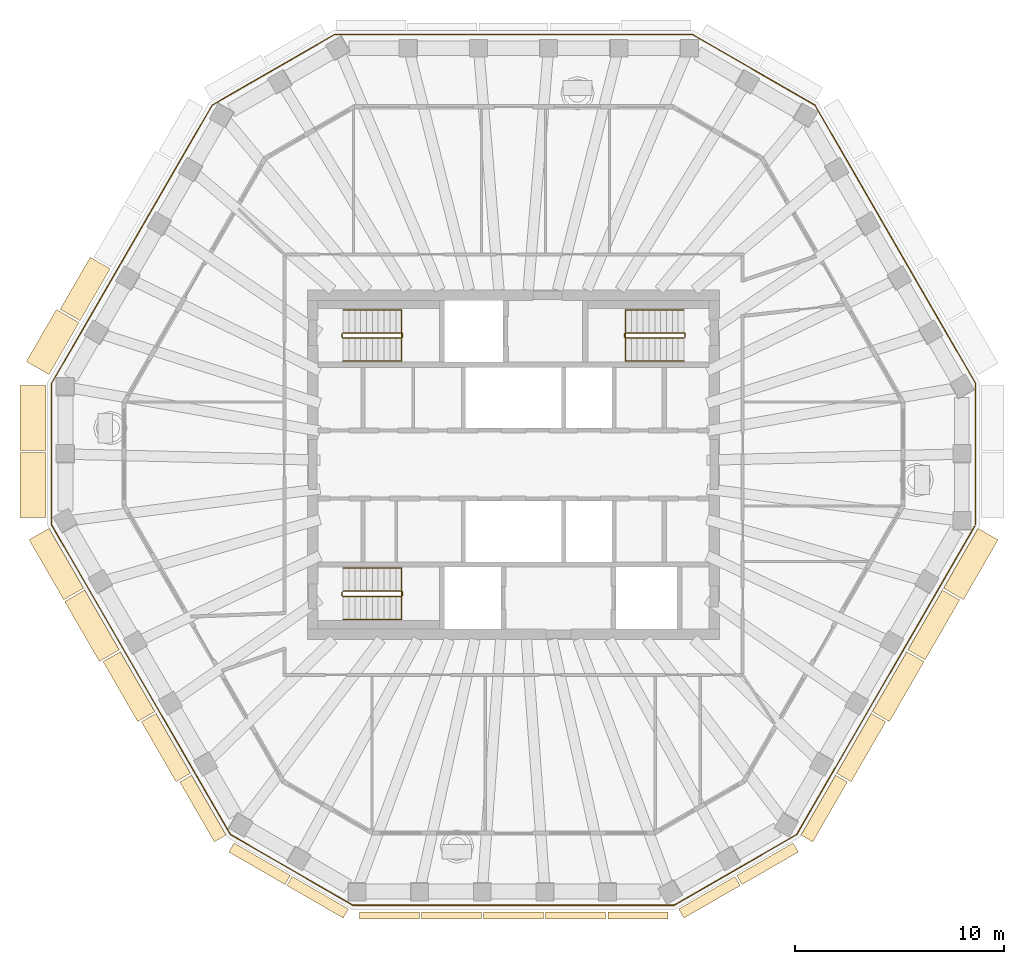
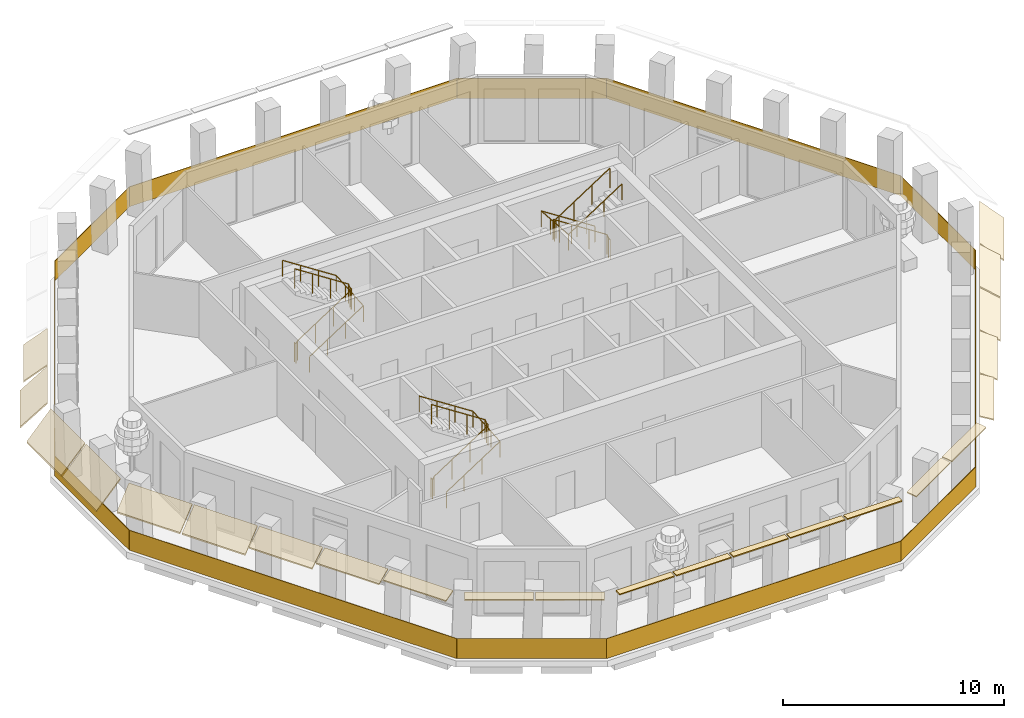
# One storey, part 8 of 11: 23 coverings, 7 railings.
"""IFC4 building model written with IfcOpenShell, lengths in metres."""

from ifc_helpers import new_model, si_unit, direction, frame, origin, origin_2d, place, context, subcontext, project, spatial, polyline, rectangle, circle, outline, extrude, material, layer, layer_set, type_object, element, save


model = new_model("IFC4")

# Units and contexts
model_context = context("Model", 3, precision=1e-05, world=origin(), true_north=direction((0.0, 1.0)))
body_context = subcontext(model_context, "Body", "Model", "MODEL_VIEW")
ifc_project = project(units=[si_unit("LENGTHUNIT", "METRE"), si_unit("AREAUNIT", "SQUARE_METRE"), si_unit("VOLUMEUNIT", "CUBIC_METRE"), si_unit("PLANEANGLEUNIT", "RADIAN"), si_unit("MASSUNIT", "GRAM", prefix="KILO")], contexts=[model_context])

# Site, building, storey
site_placement = place(None, origin())
site = spatial("IfcSite", under=ifc_project, at=site_placement, CompositionType="ELEMENT")
building_placement = place(site_placement, origin())
building = spatial("IfcBuilding", under=site, at=building_placement, Name="Frailejon Research Tower", CompositionType="ELEMENT")
storey_placement = place(building_placement, frame((0.0, 0.0, 324.60009765625)))
storey = spatial("IfcBuildingStorey", under=building, at=storey_placement, Name="L72", CompositionType="ELEMENT", Elevation=324.60009765625)

# Coverings
ifc_material_1 = material(Name="Precast concrete C50/60", Category="concrete")
ifc_layer_1 = layer(ifc_material_1, 0.06005859375)
ifc_layer_set_1 = layer_set([ifc_layer_1], Name="Brim blade depth 1100")
covering_type_1 = type_object("IfcCoveringType", Name="Brim blade depth 1100", PredefinedType="CLADDING", material=ifc_layer_set_1)
covering_1_placement = place(storey_placement, frame((-20.716552734375, 6.874755859375, 3.849853515625), z_axis=(0.499992569014, 0.866029694024, 0.0), x_axis=(-0.866029694024, 0.499992569014, 0.0)))
element("IfcCovering", 1, at=covering_1_placement, inside=storey, type_object=covering_type_1, Name="Brim blade L72", PredefinedType="CLADDING", context=body_context, shape_type="SweptSolid", body=[
    extrude(outline(polyline([(0.0, -0.078369140625), (1.10009765625, -1.001220703125), (1.10009765625, -0.923095703125), (0.0, 0.0), (0.0, -0.078369140625)])), origin(), (0.0, 0.0, 1.0), 2.86962890625),
])
for number, where, z_axis, x_axis, name in (
    (2, (-20.548828125, -5.908203125, 3.849853515625), (-0.499998690798, 0.866026159651, 0.0), (-0.866026159651, -0.499998690798, 0.0), "Brim blade L72"),
    (3, (-18.84619140625, -8.857177734375, 3.849853515625), (-0.499998690798, 0.866026159651, 0.0), (-0.866026159651, -0.499998690798, 0.0), "Brim blade L72"),
    (4, (22.201416015625, -3.0458984375, 3.849853515625), (-0.499998690798, -0.866026159651, 0.0), (0.866026159651, -0.499998690798, 0.0), "Brim blade L72"),
):
    element("IfcCovering", number, at=place(storey_placement, frame(where, z_axis=z_axis, x_axis=x_axis)), inside=storey, type_object=covering_type_1, Name=name, PredefinedType="CLADDING", context=body_context, shape_type="SweptSolid", body=[
        extrude(outline(polyline([(0.0, -0.078369140625), (1.10009765625, -1.001220703125), (1.10009765625, -0.923095703125), (0.0, 0.0), (0.0, -0.078369140625)])), origin(), (0.0, 0.0, 1.0), 3.30517578125),
    ])
ifc_material_2 = material(Name="Precast concrete C50/60", Category="concrete")
ifc_layer_2 = layer(ifc_material_2, 0.06005859375)
ifc_layer_set_2 = layer_set([ifc_layer_2], Name="Brim blade depth 1250")
covering_type_2 = type_object("IfcCoveringType", Name="Brim blade depth 1250", PredefinedType="CLADDING", material=ifc_layer_set_2)
covering_2_placement = place(storey_placement, frame((-22.201416015625, 4.302978515625, 3.849853515625), z_axis=(0.500003243186, 0.866023531322, 0.0), x_axis=(-0.866023531322, 0.500003243186, 0.0)))
element("IfcCovering", 5, at=covering_2_placement, inside=storey, type_object=covering_type_2, Name="Brim blade L72", PredefinedType="CLADDING", context=body_context, shape_type="SweptSolid", body=[
    extrude(outline(polyline([(0.0, -0.0888671875), (1.25, -1.452880859375), (1.25, -1.364013671875), (0.0, 0.0), (0.0, -0.0888671875)])), origin(), (0.0, 0.0, 1.0), 2.869873046875),
])
covering_3_placement = place(storey_placement, frame((-22.34033203125, 0.678466796875, 3.849853515625), z_axis=(0.0, 1.0, 0.0), x_axis=(-1.0, 0.0, 0.0)))
element("IfcCovering", 6, at=covering_3_placement, inside=storey, type_object=covering_type_2, Name="Brim blade L72", PredefinedType="CLADDING", context=body_context, shape_type="SweptSolid", body=[
    extrude(outline(polyline([(0.0, -0.0888671875), (1.25, -1.452880859375), (1.25, -1.364013671875), (0.0, 0.0), (0.0, -0.0888671875)])), origin(), (0.0, 0.0, 1.0), 3.106201171875),
])
covering_4_placement = place(storey_placement, frame((-22.34033203125, -2.527587890625, 3.849853515625), z_axis=(0.0, 1.0, 0.0), x_axis=(-1.0, 0.0, 0.0)))
element("IfcCovering", 7, at=covering_4_placement, inside=storey, type_object=covering_type_2, Name="Brim blade L72", PredefinedType="CLADDING", context=body_context, shape_type="SweptSolid", body=[
    extrude(outline(polyline([(0.0, -0.0888671875), (1.25, -1.452880859375), (1.25, -1.364013671875), (0.0, 0.0), (0.0, -0.0888671875)])), origin(), (0.0, 0.0, 1.0), 3.10595703125),
])
ifc_material_3 = material(Name="Precast concrete C50/60", Category="concrete")
ifc_layer_3 = layer(ifc_material_3, 0.06005859375)
ifc_layer_set_3 = layer_set([ifc_layer_3], Name="Brim blade depth 350")
covering_type_3 = type_object("IfcCoveringType", Name="Brim blade depth 350", PredefinedType="CLADDING", material=ifc_layer_set_3)
for number, where, z_axis, x_axis, name in (
    (8, (-4.504638671875, -21.37841796875, 3.849853515625), (-1.0, 0.0, 0.0), (0.0, -1.0, 0.0), "Brim blade L72"),
    (9, (-1.534912109375, -21.37841796875, 3.849853515625), (-1.0, 0.0, 0.0), (0.0, -1.0, 0.0), "Brim blade L72"),
):
    element("IfcCovering", number, at=place(storey_placement, frame(where, z_axis=z_axis, x_axis=x_axis)), inside=storey, type_object=covering_type_3, Name=name, PredefinedType="CLADDING", context=body_context, shape_type="SweptSolid", body=[
        extrude(outline(polyline([(0.0, -0.06005859375), (0.35009765625, -0.06005859375), (0.35009765625, 0.0), (0.0, 0.0), (0.0, -0.06005859375)])), origin(), (0.0, 0.0, 1.0), 2.86962890625),
    ])
covering_5_placement = place(storey_placement, frame((1.434814453125, -21.37841796875, 3.849853515625), z_axis=(-1.0, 0.0, 0.0), x_axis=(0.0, -1.0, 0.0)))
element("IfcCovering", 10, at=covering_5_placement, inside=storey, type_object=covering_type_3, Name="Brim blade L72", PredefinedType="CLADDING", context=body_context, shape_type="SweptSolid", body=[
    extrude(outline(polyline([(0.0, -0.06005859375), (0.35009765625, -0.06005859375), (0.35009765625, 0.0), (0.0, 0.0), (0.0, -0.06005859375)])), origin(), (0.0, 0.0, 1.0), 2.869873046875),
])
for number, where, z_axis, x_axis, name in (
    (11, (4.404541015625, -21.37841796875, 3.849853515625), (-1.0, 0.0, 0.0), (0.0, -1.0, 0.0), "Brim blade L72"),
    (12, (7.374267578125, -21.37841796875, 3.849853515625), (-1.0, 0.0, 0.0), (0.0, -1.0, 0.0), "Brim blade L72"),
):
    element("IfcCovering", number, at=place(storey_placement, frame(where, z_axis=z_axis, x_axis=x_axis)), inside=storey, type_object=covering_type_3, Name=name, PredefinedType="CLADDING", context=body_context, shape_type="SweptSolid", body=[
        extrude(outline(polyline([(0.0, -0.06005859375), (0.35009765625, -0.06005859375), (0.35009765625, 0.0), (0.0, 0.0), (0.0, -0.06005859375)])), origin(), (0.0, 0.0, 1.0), 2.86962890625),
    ])
ifc_material_4 = material(Name="Precast concrete C50/60", Category="concrete")
ifc_layer_4 = layer(ifc_material_4, 0.06005859375)
ifc_layer_set_4 = layer_set([ifc_layer_4], Name="Brim blade depth 500")
covering_type_4 = type_object("IfcCoveringType", Name="Brim blade depth 500", PredefinedType="CLADDING", material=ifc_layer_set_4)
covering_6_placement = place(storey_placement, frame((-10.669189453125, -19.63671875, 3.849853515625), z_axis=(-0.86602716254, 0.499996953734, 0.0), x_axis=(-0.499996953734, -0.86602716254, 0.0)))
element("IfcCovering", 13, at=covering_6_placement, inside=storey, type_object=covering_type_4, Name="Brim blade L72", PredefinedType="CLADDING", context=body_context, shape_type="SweptSolid", body=[
    extrude(outline(polyline([(0.0, -0.060546875), (0.5, -0.130859375), (0.5, -0.0703125), (0.0, 0.0), (0.0, -0.060546875)])), origin(), (0.0, 0.0, 1.0), 3.10595703125),
])
for number, where, z_axis, x_axis, name in (
    (14, (-7.892578125, -21.239501953125, 3.849853515625), (-0.866034959906, 0.499983447946, 0.0), (-0.499983447946, -0.866034959906, 0.0), "Brim blade L72"),
    (15, (10.58251953125, -19.6865234375, 3.849853515625), (-0.866034959906, -0.499983447946, 0.0), (0.499983447946, -0.866034959906, 0.0), "Brim blade L72"),
):
    element("IfcCovering", number, at=place(storey_placement, frame(where, z_axis=z_axis, x_axis=x_axis)), inside=storey, type_object=covering_type_4, Name=name, PredefinedType="CLADDING", context=body_context, shape_type="SweptSolid", body=[
        extrude(outline(polyline([(0.0, -0.060546875), (0.5, -0.130859375), (0.5, -0.0703125), (0.0, 0.0), (0.0, -0.060546875)])), origin(), (0.0, 0.0, 1.0), 3.106201171875),
    ])
covering_7_placement = place(storey_placement, frame((13.359130859375, -18.08349609375, 3.849853515625), z_axis=(-0.86602716254, -0.499996953734, 0.0), x_axis=(0.499996953734, -0.86602716254, 0.0)))
element("IfcCovering", 16, at=covering_7_placement, inside=storey, type_object=covering_type_4, Name="Brim blade L72", PredefinedType="CLADDING", context=body_context, shape_type="SweptSolid", body=[
    extrude(outline(polyline([(0.0, -0.060546875), (0.5, -0.130859375), (0.5, -0.0703125), (0.0, 0.0), (0.0, -0.060546875)])), origin(), (0.0, 0.0, 1.0), 3.10595703125),
])
ifc_material_5 = material(Name="Precast concrete C50/60", Category="concrete")
ifc_layer_5 = layer(ifc_material_5, 0.06005859375)
ifc_layer_set_5 = layer_set([ifc_layer_5], Name="Brim blade depth 650")
covering_type_5 = type_object("IfcCoveringType", Name="Brim blade depth 650", PredefinedType="CLADDING", material=ifc_layer_set_5)
for number, where, z_axis, x_axis, name in (
    (17, (-13.738525390625, -17.7041015625, 3.849853515625), (-0.499998690798, 0.866026159651, 0.0), (-0.866026159651, -0.499998690798, 0.0), "Brim blade L72"),
    (18, (15.39111328125, -14.841796875, 3.849853515625), (-0.499998690798, -0.866026159651, 0.0), (0.866026159651, -0.499998690798, 0.0), "Brim blade L72"),
):
    element("IfcCovering", number, at=place(storey_placement, frame(where, z_axis=z_axis, x_axis=x_axis)), inside=storey, type_object=covering_type_5, Name=name, PredefinedType="CLADDING", context=body_context, shape_type="SweptSolid", body=[
        extrude(outline(polyline([(0.0, -0.0625), (0.64990234375, -0.248779296875), (0.64990234375, -0.186279296875), (0.0, 0.0), (0.0, -0.0625)])), origin(), (0.0, 0.0, 1.0), 3.30517578125),
    ])
ifc_material_6 = material(Name="Precast concrete C50/60", Category="concrete")
ifc_layer_6 = layer(ifc_material_6, 0.06005859375)
ifc_layer_set_6 = layer_set([ifc_layer_6], Name="Brim blade depth 800")
covering_type_6 = type_object("IfcCoveringType", Name="Brim blade depth 800", PredefinedType="CLADDING", material=ifc_layer_set_6)
for number, where, z_axis, x_axis, name in (
    (19, (-15.441162109375, -14.755126953125, 3.849853515625), (-0.499998690798, 0.866026159651, 0.0), (-0.866026159651, -0.499998690798, 0.0), "Brim blade L72"),
    (20, (17.09375, -11.892822265625, 3.849853515625), (-0.499998690798, -0.866026159651, 0.0), (0.866026159651, -0.499998690798, 0.0), "Brim blade L72"),
):
    element("IfcCovering", number, at=place(storey_placement, frame(where, z_axis=z_axis, x_axis=x_axis)), inside=storey, type_object=covering_type_6, Name=name, PredefinedType="CLADDING", context=body_context, shape_type="SweptSolid", body=[
        extrude(outline(polyline([(0.0, -0.065673828125), (0.800048828125, -0.421875), (0.800048828125, -0.356201171875), (0.0, 0.0), (0.0, -0.065673828125)])), origin(), (0.0, 0.0, 1.0), 3.30517578125),
    ])
ifc_material_7 = material(Name="Precast concrete C50/60", Category="concrete")
ifc_layer_7 = layer(ifc_material_7, 0.06005859375)
ifc_layer_set_7 = layer_set([ifc_layer_7], Name="Brim blade depth 950")
covering_type_7 = type_object("IfcCoveringType", Name="Brim blade depth 950", PredefinedType="CLADDING", material=ifc_layer_set_7)
for number, where, z_axis, x_axis, name in (
    (21, (-17.143798828125, -11.80615234375, 3.849853515625), (-0.499998690798, 0.866026159651, 0.0), (-0.866026159651, -0.499998690798, 0.0), "Brim blade L72"),
    (22, (18.79638671875, -8.94384765625, 3.849853515625), (-0.499998690798, -0.866026159651, 0.0), (0.866026159651, -0.499998690798, 0.0), "Brim blade L72"),
    (23, (20.498779296875, -5.994873046875, 3.849853515625), (-0.499998690798, -0.866026159651, 0.0), (0.866026159651, -0.499998690798, 0.0), "Brim blade L72"),
):
    element("IfcCovering", number, at=place(storey_placement, frame(where, z_axis=z_axis, x_axis=x_axis)), inside=storey, type_object=covering_type_7, Name=name, PredefinedType="CLADDING", context=body_context, shape_type="SweptSolid", body=[
        extrude(outline(polyline([(0.0, -0.07080078125), (0.949951171875, -0.664306640625), (0.949951171875, -0.593505859375), (0.0, 0.0), (0.0, -0.07080078125)])), origin(), (0.0, 0.0, 1.0), 3.30517578125),
    ])

# Railings
ifc_material_8 = material(Name="Laminated glass balustrade", Category="glass")
railing_type_1 = type_object("IfcRailingType", Name="Glass guard 1100", PredefinedType="GUARDRAIL", material=ifc_material_8)
railing_1_placement = place(storey_placement, frame((22.078857421875, -2.88037109375, 0.0)))
element("IfcRailing", 24, at=railing_1_placement, inside=storey, type_object=railing_type_1, Name="Loggia guard L72", PredefinedType="GUARDRAIL", context=body_context, shape_type="SweptSolid", body=[
    extrude(rectangle(XDim=6.766357421875, YDim=0.030029296875, at=origin_2d()), frame((0.0, 3.38330078125, 0.0), z_axis=(0.0, 0.0, 1.0), x_axis=(0.0, 1.0, 0.0)), (0.0, 0.0, 1.0), 1.10009765625),
    extrude(rectangle(XDim=15.34814453125, YDim=0.030029296875, at=origin_2d()), frame((-3.8369140625, 13.412353515625, 0.0), z_axis=(0.0, 0.0, 1.0), x_axis=(-0.499996921375, 0.866027181222, 0.0)), (0.0, 0.0, 1.0), 1.10009765625),
    extrude(rectangle(XDim=6.766357421875, YDim=0.030029296875, at=origin_2d()), frame((-10.60400390625, 21.75, 0.0), z_axis=(0.0, 0.0, 1.0), x_axis=(-0.866034171151, 0.499984814167, 0.0)), (0.0, 0.0, 1.0), 1.10009765625),
    extrude(rectangle(XDim=17.08984375, YDim=0.030029296875, at=origin_2d()), frame((-22.078857421875, 23.44140625, 0.0), z_axis=(0.0, 0.0, 1.0), x_axis=(-1.0, 0.0, 0.0)), (0.0, 0.0, 1.0), 1.10009765625),
    extrude(rectangle(XDim=6.766357421875, YDim=0.030029296875, at=origin_2d()), frame((-33.5537109375, 21.75, 0.0), z_axis=(0.0, 0.0, 1.0), x_axis=(-0.866034171151, -0.499984814167, 0.0)), (0.0, 0.0, 1.0), 1.10009765625),
    extrude(rectangle(XDim=15.34814453125, YDim=0.030029296875, at=origin_2d()), frame((-40.32080078125, 13.412353515625, 0.0), z_axis=(0.0, 0.0, 1.0), x_axis=(-0.499996921375, -0.866027181222, 0.0)), (0.0, 0.0, 1.0), 1.10009765625),
    extrude(rectangle(XDim=6.766357421875, YDim=0.030029296875, at=origin_2d()), frame((-44.15771484375, 3.38330078125, 0.0), z_axis=(0.0, 0.0, 1.0), x_axis=(0.0, -1.0, 0.0)), (0.0, 0.0, 1.0), 1.10009765625),
    extrude(rectangle(XDim=17.08984375, YDim=0.030029296875, at=origin_2d()), frame((-39.88525390625, -7.400146484375, 0.0), z_axis=(0.0, 0.0, 1.0), x_axis=(0.499998628373, -0.866026195692, 0.0)), (0.0, 0.0, 1.0), 1.10009765625),
    extrude(rectangle(XDim=6.766357421875, YDim=0.030029296875, at=origin_2d()), frame((-32.682861328125, -16.491943359375, 0.0), z_axis=(0.0, 0.0, 1.0), x_axis=(0.866018547471, -0.500011875296, 0.0)), (0.0, 0.0, 1.0), 1.10009765625),
    extrude(rectangle(XDim=15.34814453125, YDim=0.030029296875, at=origin_2d()), frame((-22.078857421875, -18.18359375, 0.0), z_axis=(0.0, 0.0, 1.0), x_axis=(1.0, 0.0, 0.0)), (0.0, 0.0, 1.0), 1.10009765625),
    extrude(rectangle(XDim=6.766357421875, YDim=0.030029296875, at=origin_2d()), frame((-11.474853515625, -16.491943359375, 0.0), z_axis=(0.0, 0.0, 1.0), x_axis=(0.866018547471, 0.500011875296, 0.0)), (0.0, 0.0, 1.0), 1.10009765625),
    extrude(rectangle(XDim=17.02001953125, YDim=0.030029296875, at=origin_2d()), frame((-4.2900390625, -7.430419921875, 0.0), z_axis=(0.0, 0.0, 1.0), x_axis=(0.500000590068, 0.866025063108, 0.0)), (0.0, 0.0, 1.0), 1.10009765625),
])
ifc_material_9 = material(Name="Stainless steel", Category="steel")
railing_type_2 = type_object("IfcRailingType", Name="Stair guard 1100", PredefinedType="GUARDRAIL", material=ifc_material_9)
railing_2_placement = place(storey_placement, frame((-8.199951171875, 6.25, 0.0)))
element("IfcRailing", 25, at=railing_2_placement, inside=storey, type_object=railing_type_2, Name="L72 ST1 stair guard 1", PredefinedType="GUARDRAIL", context=body_context, shape_type="SweptSolid", body=[
    extrude(circle(Radius=0.02392578125, at=origin_2d()), frame((0.0, 0.0, 1.076171875), z_axis=(0.0, -1.0, 0.0), x_axis=(1.0, 0.0, 0.0)), (0.0, 0.0, 1.0), 0.14990234375),
    extrude(circle(Radius=0.02392578125, at=origin_2d()), frame((0.0, -0.14990234375, 1.076171875), z_axis=(0.256734642926, -0.256734642926, 0.931758899203), x_axis=(0.707106781187, 0.707106781187, 0.0)), (0.0, 0.0, 1.0), 0.19482421875),
    extrude(circle(Radius=0.02392578125, at=origin_2d()), frame((0.050048828125, -0.199951171875, 1.2578125), z_axis=(0.838650734948, 0.0, 0.544669573936), x_axis=(0.0, 1.0, 0.0)), (0.0, 0.0, 1.0), 3.33837890625),
    extrude(circle(Radius=0.02392578125, at=origin_2d()), frame((2.849853515625, -0.199951171875, 3.076171875), z_axis=(0.707106781187, 0.707106781187, 0.0), x_axis=(-0.707106781187, 0.707106781187, 0.0)), (0.0, 0.0, 1.0), 0.07080078125),
    extrude(circle(Radius=0.02392578125, at=origin_2d()), frame((2.89990234375, -0.14990234375, 3.076171875), z_axis=(0.0, 1.0, 0.0), x_axis=(-1.0, 0.0, 0.0)), (0.0, 0.0, 1.0), 0.14990234375),
    extrude(circle(Radius=0.02392578125, at=origin_2d()), frame((2.89990234375, 0.0, 3.076171875), z_axis=(-0.256734642926, 0.256734642926, 0.931758899203), x_axis=(-0.707106781187, -0.707106781187, 0.0)), (0.0, 0.0, 1.0), 0.19482421875),
    extrude(circle(Radius=0.02392578125, at=origin_2d()), frame((2.849853515625, 0.050048828125, 3.2578125), z_axis=(-0.838650734948, 0.0, 0.544669573936), x_axis=(0.0, -1.0, 0.0)), (0.0, 0.0, 1.0), 3.33837890625),
    extrude(circle(Radius=0.02099609375, at=origin_2d()), origin(), (0.0, 0.0, 1.0), 1.052001953125),
    extrude(circle(Radius=0.02099609375, at=origin_2d()), frame((0.0, -0.14990234375, 0.0)), (0.0, 0.0, 1.0), 1.052001953125),
    extrude(circle(Radius=0.02099609375, at=origin_2d()), frame((0.050048828125, -0.199951171875, 0.181640625)), (0.0, 0.0, 1.0), 1.052001953125),
    extrude(circle(Radius=0.02099609375, at=origin_2d()), frame((0.9833984375, -0.199951171875, 0.787841796875)), (0.0, 0.0, 1.0), 1.052001953125),
    extrude(circle(Radius=0.02099609375, at=origin_2d()), frame((1.91650390625, -0.199951171875, 1.393798828125)), (0.0, 0.0, 1.0), 1.052001953125),
    extrude(circle(Radius=0.02099609375, at=origin_2d()), frame((2.849853515625, -0.199951171875, 2.0)), (0.0, 0.0, 1.0), 1.052001953125),
    extrude(circle(Radius=0.02099609375, at=origin_2d()), frame((2.89990234375, -0.14990234375, 2.0)), (0.0, 0.0, 1.0), 1.052001953125),
    extrude(circle(Radius=0.02099609375, at=origin_2d()), frame((2.89990234375, 0.0, 2.0)), (0.0, 0.0, 1.0), 1.052001953125),
    extrude(circle(Radius=0.02099609375, at=origin_2d()), frame((2.849853515625, 0.050048828125, 2.181640625)), (0.0, 0.0, 1.0), 1.052001953125),
    extrude(circle(Radius=0.02099609375, at=origin_2d()), frame((1.91650390625, 0.050048828125, 2.787841796875)), (0.0, 0.0, 1.0), 1.052001953125),
    extrude(circle(Radius=0.02099609375, at=origin_2d()), frame((0.9833984375, 0.050048828125, 3.393798828125)), (0.0, 0.0, 1.0), 1.052001953125),
    extrude(circle(Radius=0.02099609375, at=origin_2d()), frame((0.050048828125, 0.050048828125, 4.0)), (0.0, 0.0, 1.0), 1.052001953125),
])
railing_3_placement = place(storey_placement, frame((-8.199951171875, -6.10009765625, 0.0)))
element("IfcRailing", 26, at=railing_3_placement, inside=storey, type_object=railing_type_2, Name="L72 ST2 stair guard 1", PredefinedType="GUARDRAIL", context=body_context, shape_type="SweptSolid", body=[
    extrude(circle(Radius=0.02392578125, at=origin_2d()), frame((0.0, 0.0, 1.076171875), z_axis=(0.0, -1.0, 0.0), x_axis=(1.0, 0.0, 0.0)), (0.0, 0.0, 1.0), 0.14990234375),
    extrude(circle(Radius=0.02392578125, at=origin_2d()), frame((0.0, -0.14990234375, 1.076171875), z_axis=(0.256734642926, -0.256734642926, 0.931758899203), x_axis=(0.707106781187, 0.707106781187, 0.0)), (0.0, 0.0, 1.0), 0.19482421875),
    extrude(circle(Radius=0.02392578125, at=origin_2d()), frame((0.050048828125, -0.199951171875, 1.2578125), z_axis=(0.838650734948, 0.0, 0.544669573936), x_axis=(0.0, 1.0, 0.0)), (0.0, 0.0, 1.0), 3.33837890625),
    extrude(circle(Radius=0.02392578125, at=origin_2d()), frame((2.849853515625, -0.199951171875, 3.076171875), z_axis=(0.707106781187, 0.707106781187, 0.0), x_axis=(-0.707106781187, 0.707106781187, 0.0)), (0.0, 0.0, 1.0), 0.07080078125),
    extrude(circle(Radius=0.02392578125, at=origin_2d()), frame((2.89990234375, -0.14990234375, 3.076171875), z_axis=(0.0, 1.0, 0.0), x_axis=(-1.0, 0.0, 0.0)), (0.0, 0.0, 1.0), 0.14990234375),
    extrude(circle(Radius=0.02392578125, at=origin_2d()), frame((2.89990234375, 0.0, 3.076171875), z_axis=(-0.256734642926, 0.256734642926, 0.931758899203), x_axis=(-0.707106781187, -0.707106781187, 0.0)), (0.0, 0.0, 1.0), 0.19482421875),
    extrude(circle(Radius=0.02392578125, at=origin_2d()), frame((2.849853515625, 0.050048828125, 3.2578125), z_axis=(-0.838650734948, 0.0, 0.544669573936), x_axis=(0.0, -1.0, 0.0)), (0.0, 0.0, 1.0), 3.33837890625),
    extrude(circle(Radius=0.02099609375, at=origin_2d()), origin(), (0.0, 0.0, 1.0), 1.052001953125),
    extrude(circle(Radius=0.02099609375, at=origin_2d()), frame((0.0, -0.14990234375, 0.0)), (0.0, 0.0, 1.0), 1.052001953125),
    extrude(circle(Radius=0.02099609375, at=origin_2d()), frame((0.050048828125, -0.199951171875, 0.181640625)), (0.0, 0.0, 1.0), 1.052001953125),
    extrude(circle(Radius=0.02099609375, at=origin_2d()), frame((0.9833984375, -0.199951171875, 0.787841796875)), (0.0, 0.0, 1.0), 1.052001953125),
    extrude(circle(Radius=0.02099609375, at=origin_2d()), frame((1.91650390625, -0.199951171875, 1.393798828125)), (0.0, 0.0, 1.0), 1.052001953125),
    extrude(circle(Radius=0.02099609375, at=origin_2d()), frame((2.849853515625, -0.199951171875, 2.0)), (0.0, 0.0, 1.0), 1.052001953125),
    extrude(circle(Radius=0.02099609375, at=origin_2d()), frame((2.89990234375, -0.14990234375, 2.0)), (0.0, 0.0, 1.0), 1.052001953125),
    extrude(circle(Radius=0.02099609375, at=origin_2d()), frame((2.89990234375, 0.0, 2.0)), (0.0, 0.0, 1.0), 1.052001953125),
    extrude(circle(Radius=0.02099609375, at=origin_2d()), frame((2.849853515625, 0.050048828125, 2.181640625)), (0.0, 0.0, 1.0), 1.052001953125),
    extrude(circle(Radius=0.02099609375, at=origin_2d()), frame((1.91650390625, 0.050048828125, 2.787841796875)), (0.0, 0.0, 1.0), 1.052001953125),
    extrude(circle(Radius=0.02099609375, at=origin_2d()), frame((0.9833984375, 0.050048828125, 3.393798828125)), (0.0, 0.0, 1.0), 1.052001953125),
    extrude(circle(Radius=0.02099609375, at=origin_2d()), frame((0.050048828125, 0.050048828125, 4.0)), (0.0, 0.0, 1.0), 1.052001953125),
])
railing_4_placement = place(storey_placement, frame((8.199951171875, 6.10009765625, 0.0)))
element("IfcRailing", 27, at=railing_4_placement, inside=storey, type_object=railing_type_2, Name="L72 ST3 stair guard 1", PredefinedType="GUARDRAIL", context=body_context, shape_type="SweptSolid", body=[
    extrude(circle(Radius=0.02392578125, at=origin_2d()), frame((0.0, 0.0, 1.076171875), z_axis=(0.0, 1.0, 0.0), x_axis=(-1.0, 0.0, 0.0)), (0.0, 0.0, 1.0), 0.14990234375),
    extrude(circle(Radius=0.02392578125, at=origin_2d()), frame((0.0, 0.14990234375, 1.076171875), z_axis=(-0.256734642926, 0.256734642926, 0.931758899203), x_axis=(-0.707106781187, -0.707106781187, 0.0)), (0.0, 0.0, 1.0), 0.19482421875),
    extrude(circle(Radius=0.02392578125, at=origin_2d()), frame((-0.050048828125, 0.199951171875, 1.2578125), z_axis=(-0.838650734948, 0.0, 0.544669573936), x_axis=(0.0, -1.0, 0.0)), (0.0, 0.0, 1.0), 3.33837890625),
    extrude(circle(Radius=0.02392578125, at=origin_2d()), frame((-2.849853515625, 0.199951171875, 3.076171875), z_axis=(-0.707106781187, -0.707106781187, 0.0), x_axis=(0.707106781187, -0.707106781187, 0.0)), (0.0, 0.0, 1.0), 0.07080078125),
    extrude(circle(Radius=0.02392578125, at=origin_2d()), frame((-2.89990234375, 0.14990234375, 3.076171875), z_axis=(0.0, -1.0, 0.0), x_axis=(1.0, 0.0, 0.0)), (0.0, 0.0, 1.0), 0.14990234375),
    extrude(circle(Radius=0.02392578125, at=origin_2d()), frame((-2.89990234375, 0.0, 3.076171875), z_axis=(0.256734642926, -0.256734642926, 0.931758899203), x_axis=(0.707106781187, 0.707106781187, 0.0)), (0.0, 0.0, 1.0), 0.19482421875),
    extrude(circle(Radius=0.02392578125, at=origin_2d()), frame((-2.849853515625, -0.050048828125, 3.2578125), z_axis=(0.838650734948, 0.0, 0.544669573936), x_axis=(0.0, 1.0, 0.0)), (0.0, 0.0, 1.0), 3.33837890625),
    extrude(circle(Radius=0.02099609375, at=origin_2d()), origin(), (0.0, 0.0, 1.0), 1.052001953125),
    extrude(circle(Radius=0.02099609375, at=origin_2d()), frame((0.0, 0.14990234375, 0.0)), (0.0, 0.0, 1.0), 1.052001953125),
    extrude(circle(Radius=0.02099609375, at=origin_2d()), frame((-0.050048828125, 0.199951171875, 0.181640625)), (0.0, 0.0, 1.0), 1.052001953125),
    extrude(circle(Radius=0.02099609375, at=origin_2d()), frame((-0.9833984375, 0.199951171875, 0.787841796875)), (0.0, 0.0, 1.0), 1.052001953125),
    extrude(circle(Radius=0.02099609375, at=origin_2d()), frame((-1.91650390625, 0.199951171875, 1.393798828125)), (0.0, 0.0, 1.0), 1.052001953125),
    extrude(circle(Radius=0.02099609375, at=origin_2d()), frame((-2.849853515625, 0.199951171875, 2.0)), (0.0, 0.0, 1.0), 1.052001953125),
    extrude(circle(Radius=0.02099609375, at=origin_2d()), frame((-2.89990234375, 0.14990234375, 2.0)), (0.0, 0.0, 1.0), 1.052001953125),
    extrude(circle(Radius=0.02099609375, at=origin_2d()), frame((-2.89990234375, 0.0, 2.0)), (0.0, 0.0, 1.0), 1.052001953125),
    extrude(circle(Radius=0.02099609375, at=origin_2d()), frame((-2.849853515625, -0.050048828125, 2.181640625)), (0.0, 0.0, 1.0), 1.052001953125),
    extrude(circle(Radius=0.02099609375, at=origin_2d()), frame((-1.91650390625, -0.050048828125, 2.787841796875)), (0.0, 0.0, 1.0), 1.052001953125),
    extrude(circle(Radius=0.02099609375, at=origin_2d()), frame((-0.9833984375, -0.050048828125, 3.393798828125)), (0.0, 0.0, 1.0), 1.052001953125),
    extrude(circle(Radius=0.02099609375, at=origin_2d()), frame((-0.050048828125, -0.050048828125, 4.0)), (0.0, 0.0, 1.0), 1.052001953125),
])
ifc_material_10 = material(Name="Stainless steel", Category="steel")
railing_type_3 = type_object("IfcRailingType", Name="Stair handrail 900", PredefinedType="HANDRAIL", material=ifc_material_10)
railing_5_placement = place(storey_placement, frame((-8.14990234375, 4.949951171875, 0.181640625)))
element("IfcRailing", 28, at=railing_5_placement, inside=storey, type_object=railing_type_3, Name="L72 ST1 stair handrail 1", PredefinedType="HANDRAIL", context=body_context, shape_type="SweptSolid", body=[
    extrude(circle(Radius=0.02392578125, at=origin_2d()), frame((0.0, 0.0, 0.8759765625), z_axis=(0.838650734948, 0.0, 0.544669573936), x_axis=(0.0, 1.0, 0.0)), (0.0, 0.0, 1.0), 3.33837890625),
    extrude(circle(Radius=0.02392578125, at=origin_2d()), frame((2.7998046875, 0.0, 2.6943359375), z_axis=(0.0, 0.997262871482, 0.073937576122), x_axis=(-1.0, 0.0, 0.0)), (0.0, 0.0, 1.0), 2.456787109375),
    extrude(circle(Radius=0.02392578125, at=origin_2d()), frame((2.7998046875, 2.449951171875, 2.8759765625), z_axis=(-0.838650734948, 0.0, 0.544669573936), x_axis=(0.0, -1.0, 0.0)), (0.0, 0.0, 1.0), 3.33837890625),
    extrude(circle(Radius=0.02099609375, at=origin_2d()), origin(), (0.0, 0.0, 1.0), 0.851806640625),
    extrude(circle(Radius=0.02099609375, at=origin_2d()), frame((0.933349609375, 0.0, 0.606201171875)), (0.0, 0.0, 1.0), 0.851806640625),
    extrude(circle(Radius=0.02099609375, at=origin_2d()), frame((1.866455078125, 0.0, 1.212158203125)), (0.0, 0.0, 1.0), 0.851806640625),
    extrude(circle(Radius=0.02099609375, at=origin_2d()), frame((2.7998046875, 0.0, 1.818359375)), (0.0, 0.0, 1.0), 0.851806640625),
    extrude(circle(Radius=0.02099609375, at=origin_2d()), frame((2.7998046875, 0.816650390625, 1.87890625)), (0.0, 0.0, 1.0), 0.851806640625),
    extrude(circle(Radius=0.02099609375, at=origin_2d()), frame((2.7998046875, 1.63330078125, 1.939453125)), (0.0, 0.0, 1.0), 0.851806640625),
    extrude(circle(Radius=0.02099609375, at=origin_2d()), frame((2.7998046875, 2.449951171875, 2.0)), (0.0, 0.0, 1.0), 0.851806640625),
    extrude(circle(Radius=0.02099609375, at=origin_2d()), frame((1.866455078125, 2.449951171875, 2.606201171875)), (0.0, 0.0, 1.0), 0.851806640625),
    extrude(circle(Radius=0.02099609375, at=origin_2d()), frame((0.933349609375, 2.449951171875, 3.212158203125)), (0.0, 0.0, 1.0), 0.851806640625),
    extrude(circle(Radius=0.02099609375, at=origin_2d()), frame((0.0, 2.449951171875, 3.818359375)), (0.0, 0.0, 1.0), 0.851806640625),
])
railing_6_placement = place(storey_placement, frame((-8.14990234375, -7.39990234375, 0.181640625)))
element("IfcRailing", 29, at=railing_6_placement, inside=storey, type_object=railing_type_3, Name="L72 ST2 stair handrail 1", PredefinedType="HANDRAIL", context=body_context, shape_type="SweptSolid", body=[
    extrude(circle(Radius=0.02392578125, at=origin_2d()), frame((0.0, 0.0, 0.8759765625), z_axis=(0.838650734948, 0.0, 0.544669573936), x_axis=(0.0, 1.0, 0.0)), (0.0, 0.0, 1.0), 3.33837890625),
    extrude(circle(Radius=0.02392578125, at=origin_2d()), frame((2.7998046875, 0.0, 2.6943359375), z_axis=(0.0, 0.997262871482, 0.073937576122), x_axis=(-1.0, 0.0, 0.0)), (0.0, 0.0, 1.0), 2.456787109375),
    extrude(circle(Radius=0.02392578125, at=origin_2d()), frame((2.7998046875, 2.449951171875, 2.8759765625), z_axis=(-0.838650734948, 0.0, 0.544669573936), x_axis=(0.0, -1.0, 0.0)), (0.0, 0.0, 1.0), 3.33837890625),
    extrude(circle(Radius=0.02099609375, at=origin_2d()), origin(), (0.0, 0.0, 1.0), 0.851806640625),
    extrude(circle(Radius=0.02099609375, at=origin_2d()), frame((0.933349609375, 0.0, 0.606201171875)), (0.0, 0.0, 1.0), 0.851806640625),
    extrude(circle(Radius=0.02099609375, at=origin_2d()), frame((1.866455078125, 0.0, 1.212158203125)), (0.0, 0.0, 1.0), 0.851806640625),
    extrude(circle(Radius=0.02099609375, at=origin_2d()), frame((2.7998046875, 0.0, 1.818359375)), (0.0, 0.0, 1.0), 0.851806640625),
    extrude(circle(Radius=0.02099609375, at=origin_2d()), frame((2.7998046875, 0.816650390625, 1.87890625)), (0.0, 0.0, 1.0), 0.851806640625),
    extrude(circle(Radius=0.02099609375, at=origin_2d()), frame((2.7998046875, 1.63330078125, 1.939453125)), (0.0, 0.0, 1.0), 0.851806640625),
    extrude(circle(Radius=0.02099609375, at=origin_2d()), frame((2.7998046875, 2.449951171875, 2.0)), (0.0, 0.0, 1.0), 0.851806640625),
    extrude(circle(Radius=0.02099609375, at=origin_2d()), frame((1.866455078125, 2.449951171875, 2.606201171875)), (0.0, 0.0, 1.0), 0.851806640625),
    extrude(circle(Radius=0.02099609375, at=origin_2d()), frame((0.933349609375, 2.449951171875, 3.212158203125)), (0.0, 0.0, 1.0), 0.851806640625),
    extrude(circle(Radius=0.02099609375, at=origin_2d()), frame((0.0, 2.449951171875, 3.818359375)), (0.0, 0.0, 1.0), 0.851806640625),
])
railing_7_placement = place(storey_placement, frame((8.14990234375, 7.39990234375, 0.181640625)))
element("IfcRailing", 30, at=railing_7_placement, inside=storey, type_object=railing_type_3, Name="L72 ST3 stair handrail 1", PredefinedType="HANDRAIL", context=body_context, shape_type="SweptSolid", body=[
    extrude(circle(Radius=0.02392578125, at=origin_2d()), frame((0.0, 0.0, 0.8759765625), z_axis=(-0.838650734948, 0.0, 0.544669573936), x_axis=(0.0, -1.0, 0.0)), (0.0, 0.0, 1.0), 3.33837890625),
    extrude(circle(Radius=0.02392578125, at=origin_2d()), frame((-2.7998046875, 0.0, 2.6943359375), z_axis=(0.0, -0.997262871482, 0.073937576122), x_axis=(1.0, 0.0, 0.0)), (0.0, 0.0, 1.0), 2.456787109375),
    extrude(circle(Radius=0.02392578125, at=origin_2d()), frame((-2.7998046875, -2.449951171875, 2.8759765625), z_axis=(0.838650734948, 0.0, 0.544669573936), x_axis=(0.0, 1.0, 0.0)), (0.0, 0.0, 1.0), 3.33837890625),
    extrude(circle(Radius=0.02099609375, at=origin_2d()), origin(), (0.0, 0.0, 1.0), 0.851806640625),
    extrude(circle(Radius=0.02099609375, at=origin_2d()), frame((-0.933349609375, 0.0, 0.606201171875)), (0.0, 0.0, 1.0), 0.851806640625),
    extrude(circle(Radius=0.02099609375, at=origin_2d()), frame((-1.866455078125, 0.0, 1.212158203125)), (0.0, 0.0, 1.0), 0.851806640625),
    extrude(circle(Radius=0.02099609375, at=origin_2d()), frame((-2.7998046875, 0.0, 1.818359375)), (0.0, 0.0, 1.0), 0.851806640625),
    extrude(circle(Radius=0.02099609375, at=origin_2d()), frame((-2.7998046875, -0.816650390625, 1.87890625)), (0.0, 0.0, 1.0), 0.851806640625),
    extrude(circle(Radius=0.02099609375, at=origin_2d()), frame((-2.7998046875, -1.63330078125, 1.939453125)), (0.0, 0.0, 1.0), 0.851806640625),
    extrude(circle(Radius=0.02099609375, at=origin_2d()), frame((-2.7998046875, -2.449951171875, 2.0)), (0.0, 0.0, 1.0), 0.851806640625),
    extrude(circle(Radius=0.02099609375, at=origin_2d()), frame((-1.866455078125, -2.449951171875, 2.606201171875)), (0.0, 0.0, 1.0), 0.851806640625),
    extrude(circle(Radius=0.02099609375, at=origin_2d()), frame((-0.933349609375, -2.449951171875, 3.212158203125)), (0.0, 0.0, 1.0), 0.851806640625),
    extrude(circle(Radius=0.02099609375, at=origin_2d()), frame((0.0, -2.449951171875, 3.818359375)), (0.0, 0.0, 1.0), 0.851806640625),
])

save(model, "model.ifc")
